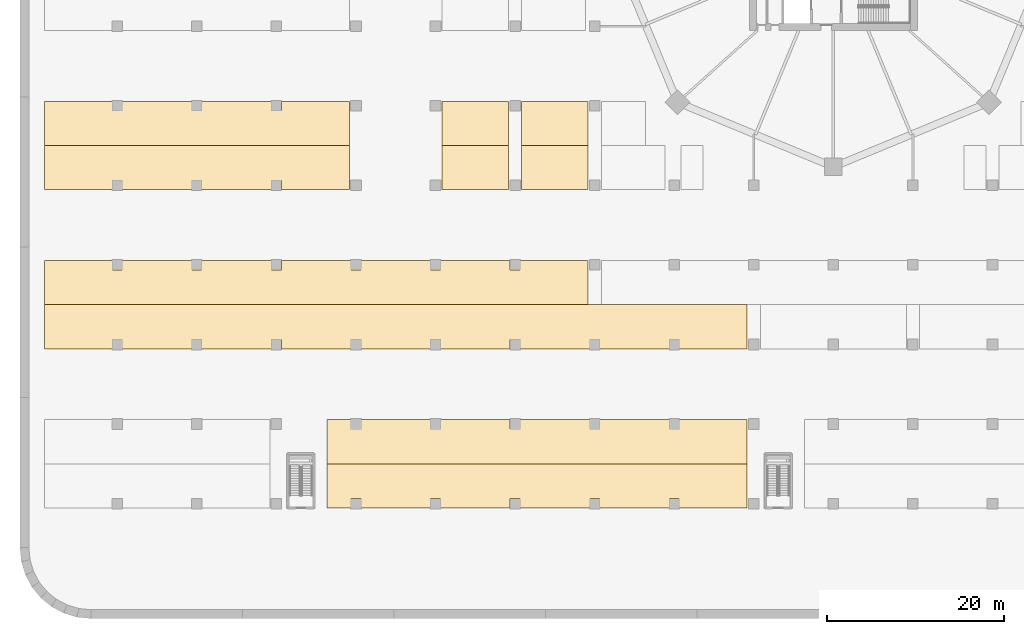
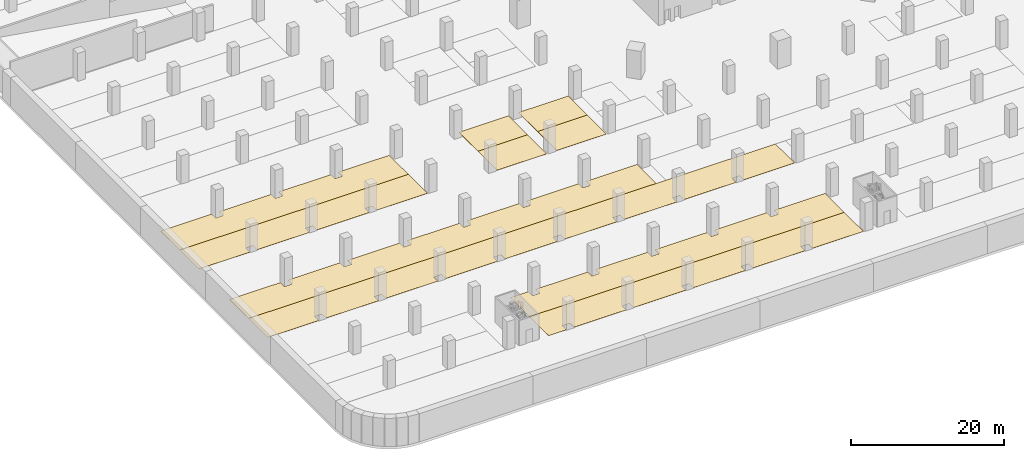
# One storey, part 22 of 34: 10 coverings.
"""IFC4 building model written with IfcOpenShell, lengths in metres."""

from ifc_helpers import new_model, si_unit, direction, frame, origin, place, context, subcontext, project, spatial, polyline, outline, extrude, material, layer, layer_set, type_object, element, save


model = new_model("IFC4")

# Units and contexts
model_context = context("Model", 3, precision=1e-05, world=origin(), true_north=direction((0.0, 1.0)))
body_context = subcontext(model_context, "Body", "Model", "MODEL_VIEW")
ifc_project = project(units=[si_unit("LENGTHUNIT", "METRE"), si_unit("AREAUNIT", "SQUARE_METRE"), si_unit("VOLUMEUNIT", "CUBIC_METRE"), si_unit("PLANEANGLEUNIT", "RADIAN"), si_unit("MASSUNIT", "GRAM", prefix="KILO")], contexts=[model_context])

# Site, building, storey
site_placement = place(None, origin())
site = spatial("IfcSite", under=ifc_project, at=site_placement, CompositionType="ELEMENT")
building_placement = place(site_placement, origin())
building = spatial("IfcBuilding", under=site, at=building_placement, Name="Ogive Gate Towers", CompositionType="ELEMENT")
storey_placement = place(building_placement, frame((0.0, 0.0, -4.5)))
storey = spatial("IfcBuildingStorey", under=building, at=storey_placement, Name="B1", CompositionType="ELEMENT", Elevation=-4.5)

# Coverings
ifc_material = material(Name="Painted floor marking")
ifc_layer_1 = layer(ifc_material, 0.02001953125)
ifc_layer_set_1 = layer_set([ifc_layer_1], Name="Charging bay marking")
covering_type_1 = type_object("IfcCoveringType", Name="Charging bay marking", PredefinedType="FLOORING", material=ifc_layer_set_1)
covering_1_placement = place(storey_placement, origin())
element("IfcCovering", 1, at=covering_1_placement, inside=storey, type_object=covering_type_1, Name="Charging bays B1-221 to B1-223", PredefinedType="FLOORING", context=body_context, shape_type="SweptSolid", body=[
    extrude(outline(polyline([(-63.75, -22.5), (-63.75, -27.5), (-71.25, -27.5), (-71.25, -22.5), (-63.75, -22.5)])), origin(), (0.0, 0.0, 1.0), 0.02001953125),
])
covering_2_placement = place(storey_placement, origin())
element("IfcCovering", 2, at=covering_2_placement, inside=storey, type_object=covering_type_1, Name="Charging bays B1-636 to B1-638", PredefinedType="FLOORING", context=body_context, shape_type="SweptSolid", body=[
    extrude(outline(polyline([(-63.75, -17.5), (-63.75, -22.5), (-71.25, -22.5), (-71.25, -17.5), (-63.75, -17.5)])), origin(), (0.0, 0.0, 1.0), 0.02001953125),
])
ifc_layer_2 = layer(ifc_material, 0.02001953125)
ifc_layer_set_2 = layer_set([ifc_layer_2], Name="Parking bay marking")
covering_type_2 = type_object("IfcCoveringType", Name="Parking bay marking", PredefinedType="FLOORING", material=ifc_layer_set_2)
covering_3_placement = place(storey_placement, origin())
element("IfcCovering", 3, at=covering_3_placement, inside=storey, type_object=covering_type_2, Name="Parking bays B1-206 to B1-217", PredefinedType="FLOORING", context=body_context, shape_type="SweptSolid", body=[
    extrude(outline(polyline([(-125.25, -22.5), (-90.75, -22.5), (-90.75, -27.5), (-98.449951171875, -27.5), (-98.449951171875, -26.449951171875), (-99.550048828125, -26.449951171875), (-99.550048828125, -27.5), (-107.449951171875, -27.5), (-107.449951171875, -26.449951171875), (-108.550048828125, -26.449951171875), (-108.550048828125, -27.5), (-116.449951171875, -27.5), (-116.449951171875, -26.449951171875), (-117.550048828125, -26.449951171875), (-117.550048828125, -27.5), (-125.25, -27.5), (-125.25, -22.5)])), origin(), (0.0, 0.0, 1.0), 0.02001953125),
])
covering_4_placement = place(storey_placement, origin())
element("IfcCovering", 4, at=covering_4_placement, inside=storey, type_object=covering_type_2, Name="Parking bays B1-218 to B1-220", PredefinedType="FLOORING", context=body_context, shape_type="SweptSolid", body=[
    extrude(outline(polyline([(-72.75, -27.5), (-80.25, -27.5), (-80.25, -22.5), (-72.75, -22.5), (-72.75, -27.5)])), origin(), (0.0, 0.0, 1.0), 0.02001953125),
])
covering_5_placement = place(storey_placement, origin())
element("IfcCovering", 5, at=covering_5_placement, inside=storey, type_object=covering_type_2, Name="Parking bays B1-252 to B1-278", PredefinedType="FLOORING", context=body_context, shape_type="SweptSolid", body=[
    extrude(outline(polyline([(-45.75, -40.5), (-45.75, -45.5), (-53.449951171875, -45.5), (-53.449951171875, -44.449951171875), (-54.550048828125, -44.449951171875), (-54.550048828125, -45.5), (-62.449951171875, -45.5), (-62.449951171875, -44.449951171875), (-63.550048828125, -44.449951171875), (-63.550048828125, -45.5), (-71.449951171875, -45.5), (-71.449951171875, -44.449951171875), (-72.550048828125, -44.449951171875), (-72.550048828125, -45.5), (-80.449951171875, -45.5), (-80.449951171875, -44.449951171875), (-81.550048828125, -44.449951171875), (-81.550048828125, -45.5), (-89.449951171875, -45.5), (-89.449951171875, -44.449951171875), (-90.550048828125, -44.449951171875), (-90.550048828125, -45.5), (-98.449951171875, -45.5), (-98.449951171875, -44.449951171875), (-99.550048828125, -44.449951171875), (-99.550048828125, -45.5), (-107.449951171875, -45.5), (-107.449951171875, -44.449951171875), (-108.550048828125, -44.449951171875), (-108.550048828125, -45.5), (-116.449951171875, -45.5), (-116.449951171875, -44.449951171875), (-117.550048828125, -44.449951171875), (-117.550048828125, -45.5), (-125.25, -45.5), (-125.25, -40.5), (-45.75, -40.5)])), origin(), (0.0, 0.0, 1.0), 0.02001953125),
])
covering_6_placement = place(storey_placement, origin())
element("IfcCovering", 6, at=covering_6_placement, inside=storey, type_object=covering_type_2, Name="Parking bays B1-339 to B1-354", PredefinedType="FLOORING", context=body_context, shape_type="SweptSolid", body=[
    extrude(outline(polyline([(-45.75, -58.5), (-45.75, -63.5), (-53.449951171875, -63.5), (-53.449951171875, -62.449951171875), (-54.550048828125, -62.449951171875), (-54.550048828125, -63.5), (-62.449951171875, -63.5), (-62.449951171875, -62.449951171875), (-63.550048828125, -62.449951171875), (-63.550048828125, -63.5), (-71.449951171875, -63.5), (-71.449951171875, -62.449951171875), (-72.550048828125, -62.449951171875), (-72.550048828125, -63.5), (-80.449951171875, -63.5), (-80.449951171875, -62.449951171875), (-81.550048828125, -62.449951171875), (-81.550048828125, -63.5), (-89.449951171875, -63.5), (-89.449951171875, -62.449951171875), (-90.550048828125, -62.449951171875), (-90.550048828125, -63.5), (-93.25, -63.5), (-93.25, -58.5), (-45.75, -58.5)])), origin(), (0.0, 0.0, 1.0), 0.02001953125),
])
covering_7_placement = place(storey_placement, origin())
element("IfcCovering", 7, at=covering_7_placement, inside=storey, type_object=covering_type_2, Name="Parking bays B1-621 to B1-632", PredefinedType="FLOORING", context=body_context, shape_type="SweptSolid", body=[
    extrude(outline(polyline([(-125.25, -17.5), (-117.550048828125, -17.5), (-117.550048828125, -18.550048828125), (-116.449951171875, -18.550048828125), (-116.449951171875, -17.5), (-108.550048828125, -17.5), (-108.550048828125, -18.550048828125), (-107.449951171875, -18.550048828125), (-107.449951171875, -17.5), (-99.550048828125, -17.5), (-99.550048828125, -18.550048828125), (-98.449951171875, -18.550048828125), (-98.449951171875, -17.5), (-90.75, -17.5), (-90.75, -22.5), (-125.25, -22.5), (-125.25, -17.5)])), origin(), (0.0, 0.0, 1.0), 0.02001953125),
])
covering_8_placement = place(storey_placement, origin())
element("IfcCovering", 8, at=covering_8_placement, inside=storey, type_object=covering_type_2, Name="Parking bays B1-633 to B1-635", PredefinedType="FLOORING", context=body_context, shape_type="SweptSolid", body=[
    extrude(outline(polyline([(-80.25, -17.5), (-72.75, -17.5), (-72.75, -22.5), (-80.25, -22.5), (-80.25, -17.5)])), origin(), (0.0, 0.0, 1.0), 0.02001953125),
])
covering_9_placement = place(storey_placement, origin())
element("IfcCovering", 9, at=covering_9_placement, inside=storey, type_object=covering_type_2, Name="Parking bays B1-665 to B1-685", PredefinedType="FLOORING", context=body_context, shape_type="SweptSolid", body=[
    extrude(outline(polyline([(-125.25, -35.5), (-117.550048828125, -35.5), (-117.550048828125, -36.550048828125), (-116.449951171875, -36.550048828125), (-116.449951171875, -35.5), (-108.550048828125, -35.5), (-108.550048828125, -36.550048828125), (-107.449951171875, -36.550048828125), (-107.449951171875, -35.5), (-99.550048828125, -35.5), (-99.550048828125, -36.550048828125), (-98.449951171875, -36.550048828125), (-98.449951171875, -35.5), (-90.550048828125, -35.5), (-90.550048828125, -36.550048828125), (-89.449951171875, -36.550048828125), (-89.449951171875, -35.5), (-81.550048828125, -35.5), (-81.550048828125, -36.550048828125), (-80.449951171875, -36.550048828125), (-80.449951171875, -35.5), (-72.550048828125, -35.5), (-72.550048828125, -36.550048828125), (-71.449951171875, -36.550048828125), (-71.449951171875, -35.5), (-63.75, -35.5), (-63.75, -40.5), (-125.25, -40.5), (-125.25, -35.5)])), origin(), (0.0, 0.0, 1.0), 0.02001953125),
])
covering_10_placement = place(storey_placement, origin())
element("IfcCovering", 10, at=covering_10_placement, inside=storey, type_object=covering_type_2, Name="Parking bays B1-752 to B1-767", PredefinedType="FLOORING", context=body_context, shape_type="SweptSolid", body=[
    extrude(outline(polyline([(-90.550048828125, -53.5), (-90.550048828125, -54.550048828125), (-89.449951171875, -54.550048828125), (-89.449951171875, -53.5), (-81.550048828125, -53.5), (-81.550048828125, -54.550048828125), (-80.449951171875, -54.550048828125), (-80.449951171875, -53.5), (-72.550048828125, -53.5), (-72.550048828125, -54.550048828125), (-71.449951171875, -54.550048828125), (-71.449951171875, -53.5), (-63.550048828125, -53.5), (-63.550048828125, -54.550048828125), (-62.449951171875, -54.550048828125), (-62.449951171875, -53.5), (-54.550048828125, -53.5), (-54.550048828125, -54.550048828125), (-53.449951171875, -54.550048828125), (-53.449951171875, -53.5), (-45.75, -53.5), (-45.75, -58.5), (-93.25, -58.5), (-93.25, -53.5), (-90.550048828125, -53.5)])), origin(), (0.0, 0.0, 1.0), 0.02001953125),
])

save(model, "model.ifc")
